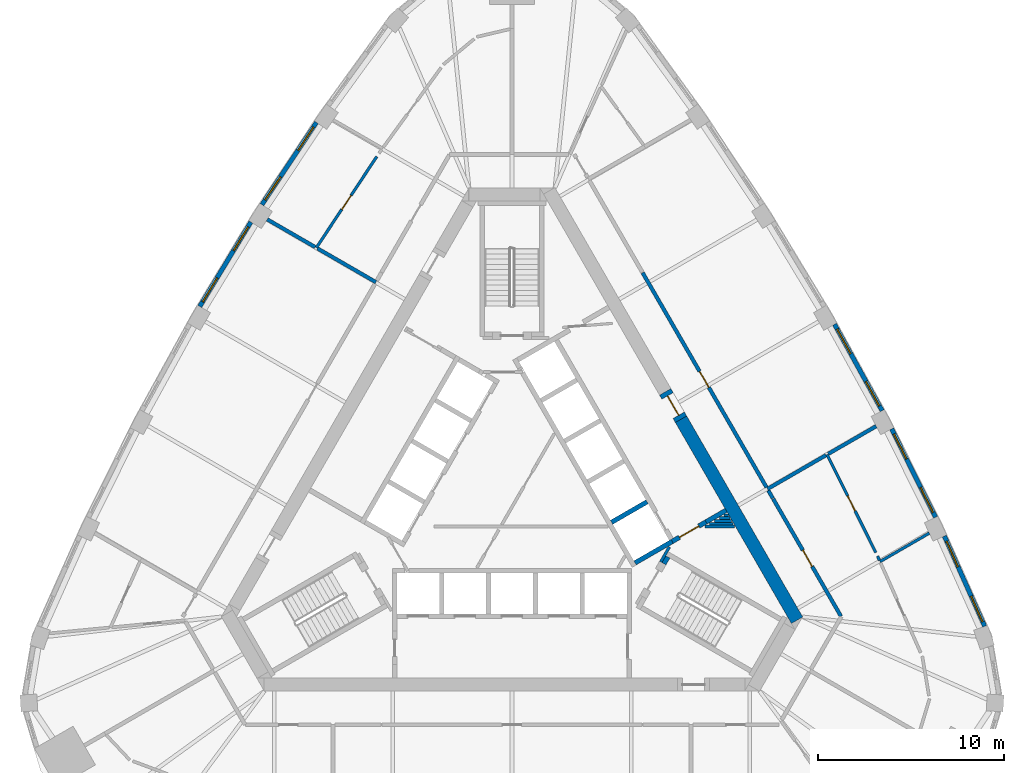
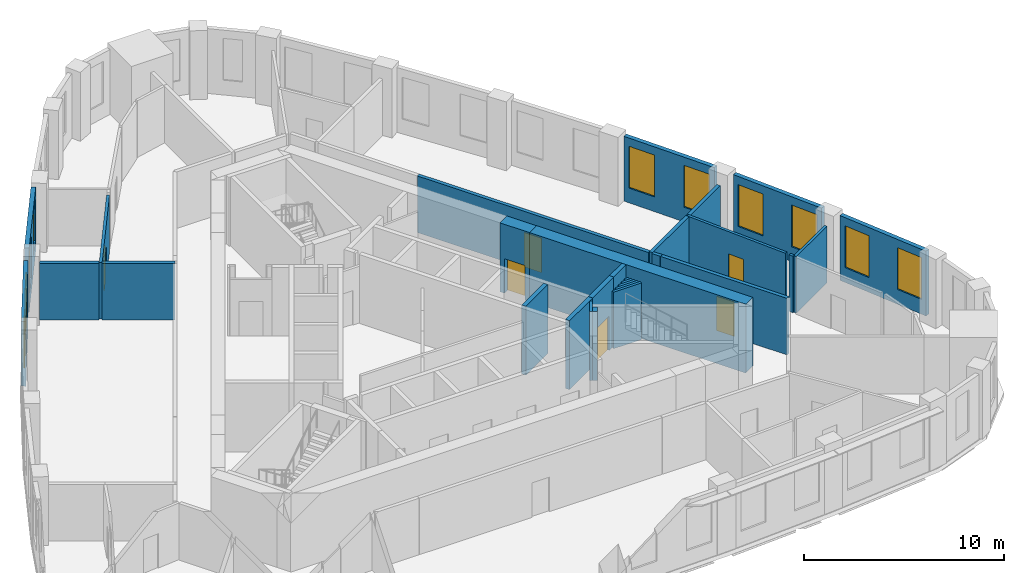
# One storey, part 7 of 10: 29 walls, 10 windows, 6 doors, 16 openings.
"""IFC4 building model written with IfcOpenShell, lengths in metres."""

from ifc_helpers import new_model, si_unit, direction, frame, frame_2d, origin, place, context, subcontext, project, spatial, rectangle, extrude, material, layer, layer_set, type_object, element, fill, save


model = new_model("IFC4")

# Units and contexts
model_context = context("Model", 3, precision=1e-05, world=origin(), true_north=direction((0.0, 1.0)))
body_context = subcontext(model_context, "Body", "Model", "MODEL_VIEW")
ifc_project = project(units=[si_unit("LENGTHUNIT", "METRE"), si_unit("AREAUNIT", "SQUARE_METRE"), si_unit("VOLUMEUNIT", "CUBIC_METRE"), si_unit("PLANEANGLEUNIT", "RADIAN"), si_unit("MASSUNIT", "GRAM", prefix="KILO")], contexts=[model_context])

# Site, building, storey
site_placement = place(None, origin())
site = spatial("IfcSite", under=ifc_project, at=site_placement, CompositionType="ELEMENT")
building_placement = place(site_placement, origin())
building = spatial("IfcBuilding", under=site, at=building_placement, Name="Mestral Congress Tower", CompositionType="ELEMENT")
storey_placement = place(building_placement, frame((0.0, 0.0, 247.800048828125)))
storey = spatial("IfcBuildingStorey", under=building, at=storey_placement, Name="L58", CompositionType="ELEMENT", Elevation=247.800048828125)

# Walls
ifc_material_1 = material(Name="Fire-rated board partition")
ifc_layer_1 = layer(ifc_material_1, 0.14990234375)
ifc_layer_set_1 = layer_set([ifc_layer_1], Name="Fire-rated board partition")
wall_type_1 = type_object("IfcWallType", Name="Core partition 150", PredefinedType="PARTITIONING", material=ifc_layer_set_1)
wall_1_placement = place(storey_placement, frame((10.3623046875, -1.5, 0.0), z_axis=(0.0, 0.0, 1.0), x_axis=(1.0, 0.0, 0.0)))
element("IfcWall", 1, at=wall_1_placement, inside=storey, type_object=wall_type_1, Name="L58 core wall", PredefinedType="PARTITIONING", context=body_context, shape_type="SweptSolid", body=[
    extrude(rectangle(XDim=1.60986328125, YDim=0.14990234375, at=frame_2d((0.804931640625, 0.0))), origin(), (0.0, 0.0, 1.0), 3.449951171875),
])
wall_2_placement = place(storey_placement, frame((10.6220703125, -1.35009765625, 0.0), z_axis=(0.0, 0.0, 1.0), x_axis=(1.0, 0.0, 0.0)))
element("IfcWall", 2, at=wall_2_placement, inside=storey, type_object=wall_type_1, Name="L58 core wall", PredefinedType="PARTITIONING", context=body_context, shape_type="SweptSolid", body=[
    extrude(rectangle(XDim=1.263427734375, YDim=0.14990234375, at=frame_2d((0.6318359375, 0.0))), origin(), (0.0, 0.0, 1.0), 3.449951171875),
])
wall_3_placement = place(storey_placement, frame((10.881591796875, -1.199951171875, 0.0), z_axis=(0.0, 0.0, 1.0), x_axis=(1.0, 0.0, 0.0)))
element("IfcWall", 3, at=wall_3_placement, inside=storey, type_object=wall_type_1, Name="L58 core wall", PredefinedType="PARTITIONING", context=body_context, shape_type="SweptSolid", body=[
    extrude(rectangle(XDim=0.91748046875, YDim=0.14990234375, at=frame_2d((0.458740234375, 0.0))), origin(), (0.0, 0.0, 1.0), 3.449951171875),
])
wall_4_placement = place(storey_placement, frame((11.71240234375, -1.050048828125, 0.0), z_axis=(0.0, 0.0, 1.0), x_axis=(-1.0, 0.0, 0.0)))
element("IfcWall", 4, at=wall_4_placement, inside=storey, type_object=wall_type_1, Name="L58 core wall", PredefinedType="PARTITIONING", context=body_context, shape_type="SweptSolid", body=[
    extrude(rectangle(XDim=0.57080078125, YDim=0.14990234375, at=frame_2d((0.285400390625, 0.0))), origin(), (0.0, 0.0, 1.0), 3.449951171875),
])
wall_5_placement = place(storey_placement, frame((11.4013671875, -0.89990234375, 0.0), z_axis=(0.0, 0.0, 1.0), x_axis=(1.0, 0.0, 0.0)))
element("IfcWall", 5, at=wall_5_placement, inside=storey, type_object=wall_type_1, Name="L58 core wall", PredefinedType="PARTITIONING", context=body_context, shape_type="SweptSolid", body=[
    extrude(rectangle(XDim=0.224365234375, YDim=0.14990234375, at=frame_2d((0.1123046875, 0.0))), origin(), (0.0, 0.0, 1.0), 3.449951171875),
])
ifc_material_2 = material(Name="Concrete C60/75", Category="concrete")
ifc_layer_2 = layer(ifc_material_2, 0.699951171875)
ifc_layer_set_2 = layer_set([ifc_layer_2], Name="Concrete C60/75")
wall_type_2 = type_object("IfcWallType", Name="Core wall RC 700", PredefinedType="SOLIDWALL", material=ifc_layer_set_2)
wall_6_placement = place(storey_placement, frame((9.085205078125, 4.263916015625, 0.0), z_axis=(0.0, 0.0, 1.0), x_axis=(0.499998082512, -0.866026510844, 0.0)))
element("IfcWall", 6, at=wall_6_placement, inside=storey, type_object=wall_type_2, Name="L58 core wall", PredefinedType="SOLIDWALL", context=body_context, shape_type="SweptSolid", body=[
    extrude(rectangle(XDim=12.47216796875, YDim=0.699951171875, at=frame_2d((6.236083984375, 0.0))), origin(), (0.0, 0.0, 1.0), 4.199951171875),
])

# Wall, opening, door
wall_7_placement = place(storey_placement, frame((8.2353515625, 5.736083984375, 0.0), z_axis=(0.0, 0.0, 1.0), x_axis=(0.499954529098, -0.86605165483, 0.0)))
wall_7 = element("IfcWall", 7, at=wall_7_placement, inside=storey, type_object=wall_type_2, Name="L58 door wall", PredefinedType="SOLIDWALL", context=body_context, shape_type="SweptSolid", body=[
    extrude(rectangle(XDim=1.699951171875, YDim=0.699951171875, at=frame_2d((0.85009765625, 0.0))), origin(), (0.0, 0.0, 1.0), 4.199951171875),
])
opening_1_placement = place(wall_7_placement, frame((0.25, 0.0, 0.0)))
opening_1 = element("IfcOpeningElement", 8, at=opening_1_placement, cuts=wall_7, Name="Opening XDL", PredefinedType="OPENING", context=body_context, shape_type="SweptSolid", body=[
    extrude(rectangle(XDim=1.199951171875, YDim=2.10009765625, at=frame_2d((0.60009765625, 1.050048828125))), frame((0.0, 0.35986328125, 0.0), z_axis=(0.0, -1.0, 0.0), x_axis=(1.0, 0.0, 0.0)), (0.0, 0.0, 1.0), 0.719970703125),
])
ifc_material_3 = material(Name="Fire-rated steel door set", Category="steel")
door_type_1 = type_object("IfcDoorType", Name="Core door XD 1200x2100", OperationType="SINGLE_SWING_LEFT", PredefinedType="DOOR", material=ifc_material_3)
door_1_placement = place(opening_1_placement, origin())
door_1 = element("IfcDoor", 9, at=door_1_placement, inside=storey, type_object=door_type_1, Name="Door XDL", OperationType="SINGLE_SWING_LEFT", OverallHeight=2.10009765625, OverallWidth=1.199951171875, PredefinedType="DOOR", context=body_context, shape_type="SweptSolid", body=[
    extrude(rectangle(XDim=1.199951171875, YDim=2.10009765625, at=frame_2d((0.60009765625, 1.050048828125))), frame((0.0, 0.02490234375, 0.0), z_axis=(0.0, -1.0, 0.0), x_axis=(1.0, 0.0, 0.0)), (0.0, 0.0, 1.0), 0.050048828125),
])
fill(opening_1, door_1)

# Wall, openings, windows
ifc_material_4 = material(Name="Precast concrete C40/50 with limestone facing", Category="masonry")
ifc_layer_3 = layer(ifc_material_4, 0.239990234375)
ifc_layer_set_3 = layer_set([ifc_layer_3], Name="Precast concrete C40/50 with limestone facing")
wall_type_3 = type_object("IfcWallType", Name="Facade stone wall 240", PredefinedType="SOLIDWALL", material=ifc_layer_set_3)
wall_8_placement = place(storey_placement, frame((25.405029296875, -6.86083984375, 0.0), z_axis=(0.0, 0.0, 1.0), x_axis=(-0.407579651789, 0.913169659728, 0.0)))
wall_8 = element("IfcWall", 10, at=wall_8_placement, inside=storey, type_object=wall_type_3, Name="Facade wall F1-00", PredefinedType="SOLIDWALL", context=body_context, shape_type="SweptSolid", body=[
    extrude(rectangle(XDim=5.310791015625, YDim=0.239990234375, at=frame_2d((2.6552734375, 0.0))), origin(), (0.0, 0.0, 1.0), 3.949951171875),
])
opening_2_placement = place(wall_8_placement, frame((0.271484375, 0.0, 0.89990234375)))
opening_2 = element("IfcOpeningElement", 11, at=opening_2_placement, cuts=wall_8, Name="Opening W4", PredefinedType="OPENING", context=body_context, shape_type="SweptSolid", body=[
    extrude(rectangle(XDim=1.5, YDim=2.550048828125, at=frame_2d((0.75, 1.27490234375))), frame((0.0, 0.1298828125, 0.0), z_axis=(0.0, -1.0, 0.0), x_axis=(1.0, 0.0, 0.0)), (0.0, 0.0, 1.0), 0.260009765625),
])
opening_3_placement = place(wall_8_placement, frame((3.50439453125, 0.0, 0.89990234375)))
opening_3 = element("IfcOpeningElement", 12, at=opening_3_placement, cuts=wall_8, Name="Opening W4", PredefinedType="OPENING", context=body_context, shape_type="SweptSolid", body=[
    extrude(rectangle(XDim=1.5, YDim=2.550048828125, at=frame_2d((0.75, 1.27490234375))), frame((0.0, 0.1298828125, 0.0), z_axis=(0.0, -1.0, 0.0), x_axis=(1.0, 0.0, 0.0)), (0.0, 0.0, 1.0), 0.260009765625),
])
ifc_material_5 = material(Name="Clear low-emissivity double glazing", Category="glass")
window_type = type_object("IfcWindowType", Name="Facade punched window 1500 x 2550 sill 900", PartitioningType="SINGLE_PANEL", PredefinedType="WINDOW", material=ifc_material_5)
window_1_placement = place(opening_2_placement, origin())
window_1 = element("IfcWindow", 13, at=window_1_placement, inside=storey, type_object=window_type, Name="Window F1-00a", OverallHeight=2.550048828125, OverallWidth=1.5, PartitioningType="SINGLE_PANEL", PredefinedType="WINDOW", context=body_context, shape_type="SweptSolid", body=[
    extrude(rectangle(XDim=1.5, YDim=2.550048828125, at=frame_2d((0.75, 1.27490234375))), frame((0.0, 0.0400390625, 0.0), z_axis=(0.0, -1.0, 0.0), x_axis=(1.0, 0.0, 0.0)), (0.0, 0.0, 1.0), 0.06005859375),
])
fill(opening_2, window_1)
window_2_placement = place(opening_3_placement, origin())
window_2 = element("IfcWindow", 14, at=window_2_placement, inside=storey, type_object=window_type, Name="Window F1-00b", OverallHeight=2.550048828125, OverallWidth=1.5, PartitioningType="SINGLE_PANEL", PredefinedType="WINDOW", context=body_context, shape_type="SweptSolid", body=[
    extrude(rectangle(XDim=1.5, YDim=2.550048828125, at=frame_2d((0.75, 1.27490234375))), frame((0.0, 0.0400390625, 0.0), z_axis=(0.0, -1.0, 0.0), x_axis=(1.0, 0.0, 0.0)), (0.0, 0.0, 1.0), 0.06005859375),
])
fill(opening_3, window_2)

wall_9_placement = place(storey_placement, frame((22.765869140625, -1.0048828125, 0.0), z_axis=(0.0, 0.0, 1.0), x_axis=(-0.445129582031, 0.895466166419, 0.0)))
wall_9 = element("IfcWall", 15, at=wall_9_placement, inside=storey, type_object=wall_type_3, Name="Facade wall F1-01", PredefinedType="SOLIDWALL", context=body_context, shape_type="SweptSolid", body=[
    extrude(rectangle(XDim=5.29833984375, YDim=0.239990234375, at=frame_2d((2.649169921875, 0.0))), origin(), (0.0, 0.0, 1.0), 3.949951171875),
])
opening_4_placement = place(wall_9_placement, frame((0.294677734375, 0.0, 0.89990234375)))
opening_4 = element("IfcOpeningElement", 16, at=opening_4_placement, cuts=wall_9, Name="Opening W4", PredefinedType="OPENING", context=body_context, shape_type="SweptSolid", body=[
    extrude(rectangle(XDim=1.5, YDim=2.550048828125, at=frame_2d((0.75, 1.27490234375))), frame((0.0, 0.1298828125, 0.0), z_axis=(0.0, -1.0, 0.0), x_axis=(1.0, 0.0, 0.0)), (0.0, 0.0, 1.0), 0.260009765625),
])
opening_5_placement = place(wall_9_placement, frame((3.503662109375, 0.0, 0.89990234375)))
opening_5 = element("IfcOpeningElement", 17, at=opening_5_placement, cuts=wall_9, Name="Opening W4", PredefinedType="OPENING", context=body_context, shape_type="SweptSolid", body=[
    extrude(rectangle(XDim=1.5, YDim=2.550048828125, at=frame_2d((0.75, 1.27490234375))), frame((0.0, 0.1298828125, 0.0), z_axis=(0.0, -1.0, 0.0), x_axis=(1.0, 0.0, 0.0)), (0.0, 0.0, 1.0), 0.260009765625),
])
window_3_placement = place(opening_4_placement, origin())
window_3 = element("IfcWindow", 18, at=window_3_placement, inside=storey, type_object=window_type, Name="Window F1-01a", OverallHeight=2.550048828125, OverallWidth=1.5, PartitioningType="SINGLE_PANEL", PredefinedType="WINDOW", context=body_context, shape_type="SweptSolid", body=[
    extrude(rectangle(XDim=1.5, YDim=2.550048828125, at=frame_2d((0.75, 1.27490234375))), frame((0.0, 0.0400390625, 0.0), z_axis=(0.0, -1.0, 0.0), x_axis=(1.0, 0.0, 0.0)), (0.0, 0.0, 1.0), 0.06005859375),
])
fill(opening_4, window_3)
window_4_placement = place(opening_5_placement, origin())
window_4 = element("IfcWindow", 19, at=window_4_placement, inside=storey, type_object=window_type, Name="Window F1-01b", OverallHeight=2.550048828125, OverallWidth=1.5, PartitioningType="SINGLE_PANEL", PredefinedType="WINDOW", context=body_context, shape_type="SweptSolid", body=[
    extrude(rectangle(XDim=1.5, YDim=2.550048828125, at=frame_2d((0.75, 1.27490234375))), frame((0.0, 0.0400390625, 0.0), z_axis=(0.0, -1.0, 0.0), x_axis=(1.0, 0.0, 0.0)), (0.0, 0.0, 1.0), 0.06005859375),
])
fill(opening_5, window_4)

wall_10_placement = place(storey_placement, frame((19.8916015625, 4.725341796875, 0.0), z_axis=(0.0, 0.0, 1.0), x_axis=(-0.481925825015, 0.876212017256, 0.0)))
wall_10 = element("IfcWall", 20, at=wall_10_placement, inside=storey, type_object=wall_type_3, Name="Facade wall F1-02", PredefinedType="SOLIDWALL", context=body_context, shape_type="SweptSolid", body=[
    extrude(rectangle(XDim=5.298583984375, YDim=0.239990234375, at=frame_2d((2.6494140625, 0.0))), origin(), (0.0, 0.0, 1.0), 3.949951171875),
])
opening_6_placement = place(wall_10_placement, frame((0.294677734375, 0.0, 0.89990234375)))
opening_6 = element("IfcOpeningElement", 21, at=opening_6_placement, cuts=wall_10, Name="Opening W4", PredefinedType="OPENING", context=body_context, shape_type="SweptSolid", body=[
    extrude(rectangle(XDim=1.5, YDim=2.550048828125, at=frame_2d((0.75, 1.27490234375))), frame((0.0, 0.1298828125, 0.0), z_axis=(0.0, -1.0, 0.0), x_axis=(1.0, 0.0, 0.0)), (0.0, 0.0, 1.0), 0.260009765625),
])
opening_7_placement = place(wall_10_placement, frame((3.503662109375, 0.0, 0.89990234375)))
opening_7 = element("IfcOpeningElement", 22, at=opening_7_placement, cuts=wall_10, Name="Opening W4", PredefinedType="OPENING", context=body_context, shape_type="SweptSolid", body=[
    extrude(rectangle(XDim=1.5, YDim=2.550048828125, at=frame_2d((0.75, 1.27490234375))), frame((0.0, 0.1298828125, 0.0), z_axis=(0.0, -1.0, 0.0), x_axis=(1.0, 0.0, 0.0)), (0.0, 0.0, 1.0), 0.260009765625),
])
window_5_placement = place(opening_6_placement, origin())
window_5 = element("IfcWindow", 23, at=window_5_placement, inside=storey, type_object=window_type, Name="Window F1-02a", OverallHeight=2.550048828125, OverallWidth=1.5, PartitioningType="SINGLE_PANEL", PredefinedType="WINDOW", context=body_context, shape_type="SweptSolid", body=[
    extrude(rectangle(XDim=1.5, YDim=2.550048828125, at=frame_2d((0.75, 1.27490234375))), frame((0.0, 0.0400390625, 0.0), z_axis=(0.0, -1.0, 0.0), x_axis=(1.0, 0.0, 0.0)), (0.0, 0.0, 1.0), 0.06005859375),
])
fill(opening_6, window_5)
window_6_placement = place(opening_7_placement, origin())
window_6 = element("IfcWindow", 24, at=window_6_placement, inside=storey, type_object=window_type, Name="Window F1-02b", OverallHeight=2.550048828125, OverallWidth=1.5, PartitioningType="SINGLE_PANEL", PredefinedType="WINDOW", context=body_context, shape_type="SweptSolid", body=[
    extrude(rectangle(XDim=1.5, YDim=2.550048828125, at=frame_2d((0.75, 1.27490234375))), frame((0.0, 0.0400390625, 0.0), z_axis=(0.0, -1.0, 0.0), x_axis=(1.0, 0.0, 0.0)), (0.0, 0.0, 1.0), 0.06005859375),
])
fill(opening_7, window_6)

wall_11_placement = place(storey_placement, frame((-10.5126953125, 20.21826171875, 0.0), z_axis=(0.0, 0.0, 1.0), x_axis=(-0.552901821755, -0.833246407433, 0.0)))
wall_11 = element("IfcWall", 25, at=wall_11_placement, inside=storey, type_object=wall_type_3, Name="Facade wall F2-01", PredefinedType="SOLIDWALL", context=body_context, shape_type="SweptSolid", body=[
    extrude(rectangle(XDim=5.29833984375, YDim=0.239990234375, at=frame_2d((2.649169921875, 0.0))), origin(), (0.0, 0.0, 1.0), 3.949951171875),
])
opening_8_placement = place(wall_11_placement, frame((0.29443359375, 0.0, 0.89990234375)))
opening_8 = element("IfcOpeningElement", 26, at=opening_8_placement, cuts=wall_11, Name="Opening W4", PredefinedType="OPENING", context=body_context, shape_type="SweptSolid", body=[
    extrude(rectangle(XDim=1.5, YDim=2.550048828125, at=frame_2d((0.75, 1.27490234375))), frame((0.0, 0.1298828125, 0.0), z_axis=(0.0, -1.0, 0.0), x_axis=(1.0, 0.0, 0.0)), (0.0, 0.0, 1.0), 0.260009765625),
])
opening_9_placement = place(wall_11_placement, frame((3.503662109375, 0.0, 0.89990234375)))
opening_9 = element("IfcOpeningElement", 27, at=opening_9_placement, cuts=wall_11, Name="Opening W4", PredefinedType="OPENING", context=body_context, shape_type="SweptSolid", body=[
    extrude(rectangle(XDim=1.5, YDim=2.550048828125, at=frame_2d((0.75, 1.27490234375))), frame((0.0, 0.1298828125, 0.0), z_axis=(0.0, -1.0, 0.0), x_axis=(1.0, 0.0, 0.0)), (0.0, 0.0, 1.0), 0.260009765625),
])
window_7_placement = place(opening_8_placement, origin())
window_7 = element("IfcWindow", 28, at=window_7_placement, inside=storey, type_object=window_type, Name="Window F2-01a", OverallHeight=2.550048828125, OverallWidth=1.5, PartitioningType="SINGLE_PANEL", PredefinedType="WINDOW", context=body_context, shape_type="SweptSolid", body=[
    extrude(rectangle(XDim=1.5, YDim=2.550048828125, at=frame_2d((0.75, 1.27490234375))), frame((0.0, 0.0400390625, 0.0), z_axis=(0.0, -1.0, 0.0), x_axis=(1.0, 0.0, 0.0)), (0.0, 0.0, 1.0), 0.06005859375),
])
fill(opening_8, window_7)
window_8_placement = place(opening_9_placement, origin())
window_8 = element("IfcWindow", 29, at=window_8_placement, inside=storey, type_object=window_type, Name="Window F2-01b", OverallHeight=2.550048828125, OverallWidth=1.5, PartitioningType="SINGLE_PANEL", PredefinedType="WINDOW", context=body_context, shape_type="SweptSolid", body=[
    extrude(rectangle(XDim=1.5, YDim=2.550048828125, at=frame_2d((0.75, 1.27490234375))), frame((0.0, 0.0400390625, 0.0), z_axis=(0.0, -1.0, 0.0), x_axis=(1.0, 0.0, 0.0)), (0.0, 0.0, 1.0), 0.06005859375),
])
fill(opening_9, window_8)

wall_12_placement = place(storey_placement, frame((-14.0380859375, 14.86376953125, 0.0), z_axis=(0.0, 0.0, 1.0), x_axis=(-0.517846166225, -0.855473756538, 0.0)))
wall_12 = element("IfcWall", 30, at=wall_12_placement, inside=storey, type_object=wall_type_3, Name="Facade wall F2-02", PredefinedType="SOLIDWALL", context=body_context, shape_type="SweptSolid", body=[
    extrude(rectangle(XDim=5.298095703125, YDim=0.239990234375, at=frame_2d((2.64892578125, 0.0))), origin(), (0.0, 0.0, 1.0), 3.949951171875),
])
opening_10_placement = place(wall_12_placement, frame((0.29443359375, 0.0, 0.89990234375)))
opening_10 = element("IfcOpeningElement", 31, at=opening_10_placement, cuts=wall_12, Name="Opening W4", PredefinedType="OPENING", context=body_context, shape_type="SweptSolid", body=[
    extrude(rectangle(XDim=1.5, YDim=2.550048828125, at=frame_2d((0.75, 1.27490234375))), frame((0.0, 0.1298828125, 0.0), z_axis=(0.0, -1.0, 0.0), x_axis=(1.0, 0.0, 0.0)), (0.0, 0.0, 1.0), 0.260009765625),
])
opening_11_placement = place(wall_12_placement, frame((3.503662109375, 0.0, 0.89990234375)))
opening_11 = element("IfcOpeningElement", 32, at=opening_11_placement, cuts=wall_12, Name="Opening W4", PredefinedType="OPENING", context=body_context, shape_type="SweptSolid", body=[
    extrude(rectangle(XDim=1.5, YDim=2.550048828125, at=frame_2d((0.75, 1.27490234375))), frame((0.0, 0.1298828125, 0.0), z_axis=(0.0, -1.0, 0.0), x_axis=(1.0, 0.0, 0.0)), (0.0, 0.0, 1.0), 0.260009765625),
])
window_9_placement = place(opening_10_placement, origin())
window_9 = element("IfcWindow", 33, at=window_9_placement, inside=storey, type_object=window_type, Name="Window F2-02a", OverallHeight=2.550048828125, OverallWidth=1.5, PartitioningType="SINGLE_PANEL", PredefinedType="WINDOW", context=body_context, shape_type="SweptSolid", body=[
    extrude(rectangle(XDim=1.5, YDim=2.550048828125, at=frame_2d((0.75, 1.27490234375))), frame((0.0, 0.0400390625, 0.0), z_axis=(0.0, -1.0, 0.0), x_axis=(1.0, 0.0, 0.0)), (0.0, 0.0, 1.0), 0.06005859375),
])
fill(opening_10, window_9)
window_10_placement = place(opening_11_placement, origin())
window_10 = element("IfcWindow", 34, at=window_10_placement, inside=storey, type_object=window_type, Name="Window F2-02b", OverallHeight=2.550048828125, OverallWidth=1.5, PartitioningType="SINGLE_PANEL", PredefinedType="WINDOW", context=body_context, shape_type="SweptSolid", body=[
    extrude(rectangle(XDim=1.5, YDim=2.550048828125, at=frame_2d((0.75, 1.27490234375))), frame((0.0, 0.0400390625, 0.0), z_axis=(0.0, -1.0, 0.0), x_axis=(1.0, 0.0, 0.0)), (0.0, 0.0, 1.0), 0.06005859375),
])
fill(opening_11, window_10)

# Walls
ifc_material_6 = material(Name="Plasterboard partition on steel studs", Category="steel")
ifc_layer_4 = layer(ifc_material_6, 0.14990234375)
ifc_layer_set_4 = layer_set([ifc_layer_4], Name="Plasterboard partition on steel studs")
wall_type_4 = type_object("IfcWallType", Name="Office partition 150", PredefinedType="PARTITIONING", material=ifc_layer_set_4)
wall_13_placement = place(storey_placement, frame((19.7802734375, -3.385986328125, 0.0), z_axis=(0.0, 0.0, 1.0), x_axis=(0.866063280451, 0.49993438995, 0.0)))
element("IfcWall", 35, at=wall_13_placement, inside=storey, type_object=wall_type_4, Name="Partition", PredefinedType="PARTITIONING", context=body_context, shape_type="SweptSolid", body=[
    extrude(rectangle(XDim=3.05810546875, YDim=0.14990234375, at=frame_2d((1.529052734375, 0.0))), origin(), (0.0, 0.0, 1.0), 3.449951171875),
])
wall_14_placement = place(storey_placement, frame((19.74951171875, -3.3173828125, 0.0), z_axis=(0.0, 0.0, 1.0), x_axis=(-0.406774979688, 0.913528388119, 0.0)))
element("IfcWall", 36, at=wall_14_placement, inside=storey, type_object=wall_type_4, Name="Partition", PredefinedType="PARTITIONING", context=body_context, shape_type="SweptSolid", body=[
    extrude(rectangle(XDim=0.2490234375, YDim=0.14990234375, at=frame_2d((0.12451171875, 0.0))), origin(), (0.0, 0.0, 1.0), 3.449951171875),
])

# Wall, opening, door
wall_15_placement = place(storey_placement, frame((16.934814453125, 2.367919921875, 0.0), z_axis=(0.0, 0.0, 1.0), x_axis=(0.445153322039, -0.895454365045, 0.0)))
wall_15 = element("IfcWall", 37, at=wall_15_placement, inside=storey, type_object=wall_type_4, Name="Partition", PredefinedType="PARTITIONING", context=body_context, shape_type="SweptSolid", body=[
    extrude(rectangle(XDim=5.880859375, YDim=0.14990234375, at=frame_2d((2.9404296875, 0.0))), origin(), (0.0, 0.0, 1.0), 3.449951171875),
])
opening_12_placement = place(wall_15_placement, frame((2.480712890625, 0.0, 0.0)))
opening_12 = element("IfcOpeningElement", 38, at=opening_12_placement, cuts=wall_15, Name="Opening O09-006", PredefinedType="OPENING", context=body_context, shape_type="SweptSolid", body=[
    extrude(rectangle(XDim=0.89990234375, YDim=2.10009765625, at=frame_2d((0.449951171875, 1.050048828125))), frame((0.0, 0.0849609375, 0.0), z_axis=(0.0, -1.0, 0.0), x_axis=(1.0, 0.0, 0.0)), (0.0, 0.0, 1.0), 0.169921875),
])
ifc_material_7 = material(Name="Timber door set", Category="wood")
door_type_2 = type_object("IfcDoorType", Name="Office door 900x2100", OperationType="SINGLE_SWING_LEFT", PredefinedType="DOOR", material=ifc_material_7)
door_2_placement = place(opening_12_placement, origin())
door_2 = element("IfcDoor", 39, at=door_2_placement, inside=storey, type_object=door_type_2, Name="Door O09-006", OperationType="SINGLE_SWING_LEFT", OverallHeight=2.10009765625, OverallWidth=0.89990234375, PredefinedType="DOOR", context=body_context, shape_type="SweptSolid", body=[
    extrude(rectangle(XDim=0.89990234375, YDim=2.10009765625, at=frame_2d((0.449951171875, 1.050048828125))), frame((0.0, 0.02490234375, 0.0), z_axis=(0.0, -1.0, 0.0), x_axis=(1.0, 0.0, 0.0)), (0.0, 0.0, 1.0), 0.050048828125),
])
fill(opening_12, door_2)

wall_16_placement = place(storey_placement, frame((-10.51806640625, 13.482177734375, 0.0), z_axis=(0.0, 0.0, 1.0), x_axis=(0.552916907591, 0.833236397008, 0.0)))
wall_16 = element("IfcWall", 40, at=wall_16_placement, inside=storey, type_object=wall_type_4, Name="Partition", PredefinedType="PARTITIONING", context=body_context, shape_type="SweptSolid", body=[
    extrude(rectangle(XDim=5.880615234375, YDim=0.14990234375, at=frame_2d((2.9404296875, 0.0))), origin(), (0.0, 0.0, 1.0), 3.449951171875),
])
opening_13_placement = place(wall_16_placement, frame((2.480712890625, 0.0, 0.0)))
opening_13 = element("IfcOpeningElement", 41, at=opening_13_placement, cuts=wall_16, Name="Opening O09-013", PredefinedType="OPENING", context=body_context, shape_type="SweptSolid", body=[
    extrude(rectangle(XDim=0.89990234375, YDim=2.10009765625, at=frame_2d((0.449951171875, 1.050048828125))), frame((0.0, 0.0849609375, 0.0), z_axis=(0.0, -1.0, 0.0), x_axis=(1.0, 0.0, 0.0)), (0.0, 0.0, 1.0), 0.169921875),
])
door_3_placement = place(opening_13_placement, origin())
door_3 = element("IfcDoor", 42, at=door_3_placement, inside=storey, type_object=door_type_2, Name="Door O09-013", OperationType="SINGLE_SWING_LEFT", OverallHeight=2.10009765625, OverallWidth=0.89990234375, PredefinedType="DOOR", context=body_context, shape_type="SweptSolid", body=[
    extrude(rectangle(XDim=0.89990234375, YDim=2.10009765625, at=frame_2d((0.449951171875, 1.050048828125))), frame((0.0, 0.02490234375, 0.0), z_axis=(0.0, -1.0, 0.0), x_axis=(1.0, 0.0, 0.0)), (0.0, 0.0, 1.0), 0.050048828125),
])
fill(opening_13, door_3)

# Walls
ifc_material_8 = material(Name="Dense masonry wall, plastered", Category="masonry")
ifc_layer_5 = layer(ifc_material_8, 0.199951171875)
ifc_layer_set_5 = layer_set([ifc_layer_5], Name="Dense masonry wall, plastered")
wall_type_5 = type_object("IfcWallType", Name="Office tenancy wall 200", PredefinedType="PARTITIONING", material=ifc_layer_set_5)
wall_17_placement = place(storey_placement, frame((17.0, 2.405517578125, 0.0), z_axis=(0.0, 0.0, 1.0), x_axis=(0.86605561342, 0.499947671726, 0.0)))
element("IfcWall", 43, at=wall_17_placement, inside=storey, type_object=wall_type_5, Name="Tenancy wall", PredefinedType="PARTITIONING", context=body_context, shape_type="SweptSolid", body=[
    extrude(rectangle(XDim=2.971435546875, YDim=0.199951171875, at=frame_2d((1.48583984375, 0.0))), origin(), (0.0, 0.0, 1.0), 3.449951171875),
])
wall_18_placement = place(storey_placement, frame((13.730712890625, 0.517822265625, 0.0), z_axis=(0.0, 0.0, 1.0), x_axis=(0.8660128559, 0.500021732944, 0.0)))
element("IfcWall", 44, at=wall_18_placement, inside=storey, type_object=wall_type_5, Name="Tenancy wall", PredefinedType="PARTITIONING", context=body_context, shape_type="SweptSolid", body=[
    extrude(rectangle(XDim=3.624755859375, YDim=0.199951171875, at=frame_2d((1.8125, 0.0))), origin(), (0.0, 0.0, 1.0), 3.449951171875),
])
wall_19_placement = place(storey_placement, frame((14.022216796875, 0.0126953125, 0.0), z_axis=(0.0, 0.0, 1.0), x_axis=(-0.500159754115, 0.865933150054, 0.0)))
element("IfcWall", 45, at=wall_19_placement, inside=storey, type_object=wall_type_5, Name="Tenancy wall", PredefinedType="PARTITIONING", context=body_context, shape_type="SweptSolid", body=[
    extrude(rectangle(XDim=0.483154296875, YDim=0.199951171875, at=frame_2d((0.24169921875, 0.0))), origin(), (0.0, 0.0, 1.0), 3.449951171875),
])

# Wall, opening, door
wall_20_placement = place(storey_placement, frame((17.680908203125, -6.323974609375, 0.0), z_axis=(0.0, 0.0, 1.0), x_axis=(-0.50002695829, 0.866009838849, 0.0)))
wall_20 = element("IfcWall", 46, at=wall_20_placement, inside=storey, type_object=wall_type_5, Name="Tenancy wall", PredefinedType="PARTITIONING", context=body_context, shape_type="SweptSolid", body=[
    extrude(rectangle(XDim=7.287109375, YDim=0.199951171875, at=frame_2d((3.6435546875, 0.0))), origin(), (0.0, 0.0, 1.0), 3.449951171875),
])
opening_14_placement = place(wall_20_placement, frame((3.10009765625, 0.0, 0.0)))
opening_14 = element("IfcOpeningElement", 47, at=opening_14_placement, cuts=wall_20, Name="Opening O09-007", PredefinedType="OPENING", context=body_context, shape_type="SweptSolid", body=[
    extrude(rectangle(XDim=1.0, YDim=2.10009765625, at=frame_2d((0.5, 1.050048828125))), frame((0.0, 0.10986328125, 0.0), z_axis=(0.0, -1.0, 0.0), x_axis=(1.0, 0.0, 0.0)), (0.0, 0.0, 1.0), 0.219970703125),
])
ifc_material_9 = material(Name="Fire-rated timber door set", Category="wood")
door_type_3 = type_object("IfcDoorType", Name="Office tenancy entrance door 1000x2100", OperationType="SINGLE_SWING_LEFT", PredefinedType="DOOR", material=ifc_material_9)
door_4_placement = place(opening_14_placement, origin())
door_4 = element("IfcDoor", 48, at=door_4_placement, inside=storey, type_object=door_type_3, Name="Door O09-007", OperationType="SINGLE_SWING_LEFT", OverallHeight=2.10009765625, OverallWidth=1.0, PredefinedType="DOOR", context=body_context, shape_type="SweptSolid", body=[
    extrude(rectangle(XDim=1.0, YDim=2.10009765625, at=frame_2d((0.5, 1.050048828125))), frame((0.0, 0.02490234375, 0.0), z_axis=(0.0, -1.0, 0.0), x_axis=(1.0, 0.0, 0.0)), (0.0, 0.0, 1.0), 0.050048828125),
])
fill(opening_14, door_4)

wall_21_placement = place(storey_placement, frame((13.6806640625, 0.6044921875, 0.0), z_axis=(0.0, 0.0, 1.0), x_axis=(-0.500001759768, 0.86602438778, 0.0)))
wall_21 = element("IfcWall", 49, at=wall_21_placement, inside=storey, type_object=wall_type_5, Name="Tenancy wall", PredefinedType="PARTITIONING", context=body_context, shape_type="SweptSolid", body=[
    extrude(rectangle(XDim=13.31689453125, YDim=0.199951171875, at=frame_2d((6.658447265625, 0.0))), origin(), (0.0, 0.0, 1.0), 3.449951171875),
])
opening_15_placement = place(wall_21_placement, frame((6.199951171875, 0.0, 0.0)))
opening_15 = element("IfcOpeningElement", 50, at=opening_15_placement, cuts=wall_21, Name="Opening O09-008", PredefinedType="OPENING", context=body_context, shape_type="SweptSolid", body=[
    extrude(rectangle(XDim=1.0, YDim=2.10009765625, at=frame_2d((0.5, 1.050048828125))), frame((0.0, 0.10986328125, 0.0), z_axis=(0.0, -1.0, 0.0), x_axis=(1.0, 0.0, 0.0)), (0.0, 0.0, 1.0), 0.219970703125),
])
door_5_placement = place(opening_15_placement, origin())
door_5 = element("IfcDoor", 51, at=door_5_placement, inside=storey, type_object=door_type_3, Name="Door O09-008", OperationType="SINGLE_SWING_RIGHT", OverallHeight=2.10009765625, OverallWidth=1.0, PredefinedType="DOOR", context=body_context, shape_type="SweptSolid", body=[
    extrude(rectangle(XDim=1.0, YDim=2.10009765625, at=frame_2d((0.5, 1.050048828125))), frame((0.0, 0.02490234375, 0.0), z_axis=(0.0, -1.0, 0.0), x_axis=(1.0, 0.0, 0.0)), (0.0, 0.0, 1.0), 0.050048828125),
])
fill(opening_15, door_5)

# Walls
wall_22_placement = place(storey_placement, frame((-10.583251953125, 13.519775390625, 0.0), z_axis=(0.0, 0.0, 1.0), x_axis=(-0.865999496279, 0.500044870432, 0.0)))
element("IfcWall", 52, at=wall_22_placement, inside=storey, type_object=wall_type_5, Name="Tenancy wall", PredefinedType="PARTITIONING", context=body_context, shape_type="SweptSolid", body=[
    extrude(rectangle(XDim=2.971435546875, YDim=0.199951171875, at=frame_2d((1.48583984375, 0.0))), origin(), (0.0, 0.0, 1.0), 3.449951171875),
])
wall_23_placement = place(storey_placement, frame((-7.313720703125, 11.632080078125, 0.0), z_axis=(0.0, 0.0, 1.0), x_axis=(-0.8660128559, 0.500021732944, 0.0)))
element("IfcWall", 53, at=wall_23_placement, inside=storey, type_object=wall_type_5, Name="Tenancy wall", PredefinedType="PARTITIONING", context=body_context, shape_type="SweptSolid", body=[
    extrude(rectangle(XDim=3.624755859375, YDim=0.199951171875, at=frame_2d((1.8125, 0.0))), origin(), (0.0, 0.0, 1.0), 3.449951171875),
])
ifc_layer_6 = layer(ifc_material_2, 0.25)
ifc_layer_set_6 = layer_set([ifc_layer_6], Name="Concrete C60/75")
wall_type_6 = type_object("IfcWallType", Name="Shaft wall RC 250", PredefinedType="SOLIDWALL", material=ifc_layer_set_6)
wall_24_placement = place(storey_placement, frame((11.507080078125, -0.631103515625, 0.0), z_axis=(0.0, 0.0, 1.0), x_axis=(-0.866025525965, -0.499999788377, 0.0)))
element("IfcWall", 54, at=wall_24_placement, inside=storey, type_object=wall_type_6, Name="L58 core wall", PredefinedType="SOLIDWALL", context=body_context, shape_type="SweptSolid", body=[
    extrude(rectangle(XDim=1.24462890625, YDim=0.25, at=frame_2d((0.622314453125, 0.0))), origin(), (0.0, 0.0, 1.0), 4.199951171875),
])
wall_25_placement = place(storey_placement, frame((5.35400390625, -1.273681640625, 0.0), z_axis=(0.0, 0.0, 1.0), x_axis=(0.866008176907, 0.50002983664, 0.0)))
element("IfcWall", 55, at=wall_25_placement, inside=storey, type_object=wall_type_6, Name="L58 core wall", PredefinedType="SOLIDWALL", context=body_context, shape_type="SweptSolid", body=[
    extrude(rectangle(XDim=2.199951171875, YDim=0.25, at=frame_2d((1.10009765625, 0.0))), origin(), (0.0, 0.0, 1.0), 4.199951171875),
])
wall_26_placement = place(storey_placement, frame((6.614013671875, -3.4560546875, 0.0), z_axis=(0.0, 0.0, 1.0), x_axis=(0.866025089694, 0.500000544019, 0.0)))
element("IfcWall", 56, at=wall_26_placement, inside=storey, type_object=wall_type_6, Name="L58 core wall", PredefinedType="SOLIDWALL", context=body_context, shape_type="SweptSolid", body=[
    extrude(rectangle(XDim=2.30517578125, YDim=0.25, at=frame_2d((1.152587890625, 0.0))), origin(), (0.0, 0.0, 1.0), 4.199951171875),
])

# Wall, opening, door
wall_27_placement = place(storey_placement, frame((10.42919921875, -1.25341796875, 0.0), z_axis=(0.0, 0.0, 1.0), x_axis=(-0.866009402589, -0.500027713859, 0.0)))
wall_27 = element("IfcWall", 57, at=wall_27_placement, inside=storey, type_object=wall_type_6, Name="L58 door wall", PredefinedType="SOLIDWALL", context=body_context, shape_type="SweptSolid", body=[
    extrude(rectangle(XDim=2.10009765625, YDim=0.25, at=frame_2d((1.050048828125, 0.0))), origin(), (0.0, 0.0, 1.0), 4.199951171875),
])
opening_16_placement = place(wall_27_placement, frame((0.449951171875, 0.0, 0.0)))
opening_16 = element("IfcOpeningElement", 58, at=opening_16_placement, cuts=wall_27, Name="Opening LB1-PX10", PredefinedType="OPENING", context=body_context, shape_type="SweptSolid", body=[
    extrude(rectangle(XDim=1.199951171875, YDim=2.10009765625, at=frame_2d((0.60009765625, 1.050048828125))), frame((0.0, 0.135009765625, 0.0), z_axis=(0.0, -1.0, 0.0), x_axis=(1.0, 0.0, 0.0)), (0.0, 0.0, 1.0), 0.27001953125),
])
door_type_4 = type_object("IfcDoorType", Name="Core door LB 1200x2100", OperationType="SINGLE_SWING_LEFT", PredefinedType="DOOR", material=ifc_material_3)
door_6_placement = place(opening_16_placement, origin())
door_6 = element("IfcDoor", 59, at=door_6_placement, inside=storey, type_object=door_type_4, Name="Door LB1-PX10", OperationType="SINGLE_SWING_LEFT", OverallHeight=2.10009765625, OverallWidth=1.199951171875, PredefinedType="DOOR", context=body_context, shape_type="SweptSolid", body=[
    extrude(rectangle(XDim=1.199951171875, YDim=2.10009765625, at=frame_2d((0.60009765625, 1.050048828125))), frame((0.0, 0.02490234375, 0.0), z_axis=(0.0, -1.0, 0.0), x_axis=(1.0, 0.0, 0.0)), (0.0, 0.0, 1.0), 0.050048828125),
])
fill(opening_16, door_6)

# Walls
ifc_layer_7 = layer(ifc_material_2, 0.14990234375)
ifc_layer_set_7 = layer_set([ifc_layer_7], Name="Concrete C60/75")
wall_type_7 = type_object("IfcWallType", Name="Shaft wall RC 250 door-wall 150", PredefinedType="SOLIDWALL", material=ifc_layer_set_7)
wall_28_placement = place(storey_placement, frame((8.459228515625, -2.59912109375, 0.0), z_axis=(0.0, 0.0, 1.0), x_axis=(-0.500041054325, -0.866001699761, 0.0)))
element("IfcWall", 60, at=wall_28_placement, inside=storey, type_object=wall_type_7, Name="L58 core wall", PredefinedType="PARTITIONING", context=body_context, shape_type="SweptSolid", body=[
    extrude(rectangle(XDim=0.9287109375, YDim=0.14990234375, at=frame_2d((0.46435546875, 0.0))), origin(), (0.0, 0.0, 1.0), 4.199951171875),
])
ifc_layer_8 = layer(ifc_material_2, 0.25)
ifc_layer_set_8 = layer_set([ifc_layer_8], Name="Concrete C60/75")
wall_type_8 = type_object("IfcWallType", Name="Stair wall RC 250", PredefinedType="SOLIDWALL", material=ifc_layer_set_8)
wall_29_placement = place(storey_placement, frame((8.167724609375, -3.503173828125, 0.0), z_axis=(0.0, 0.0, 1.0), x_axis=(0.49972245349, 0.866185586049, 0.0)))
element("IfcWall", 61, at=wall_29_placement, inside=storey, type_object=wall_type_8, Name="L58 core wall", PredefinedType="SOLIDWALL", context=body_context, shape_type="SweptSolid", body=[
    extrude(rectangle(XDim=0.425048828125, YDim=0.25, at=frame_2d((0.21240234375, 0.0))), origin(), (0.0, 0.0, 1.0), 4.199951171875),
])

save(model, "model.ifc")
